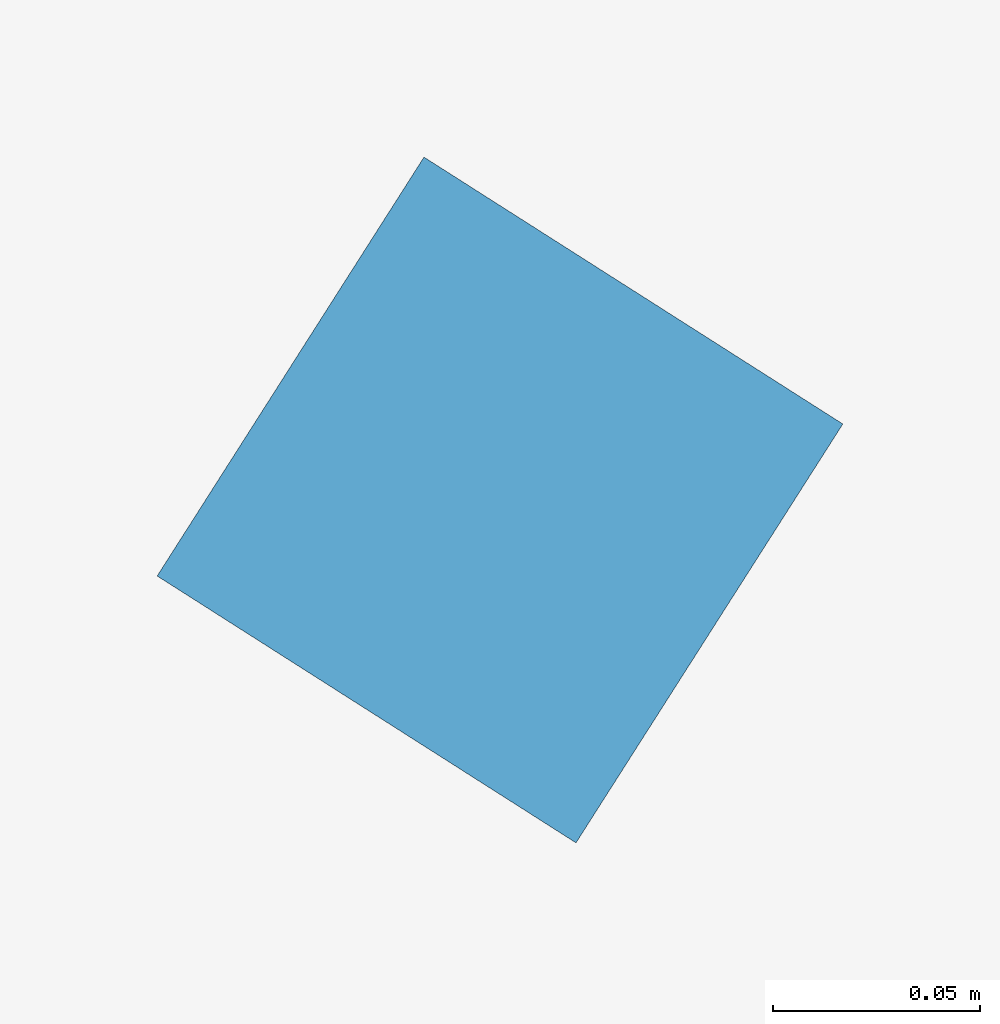
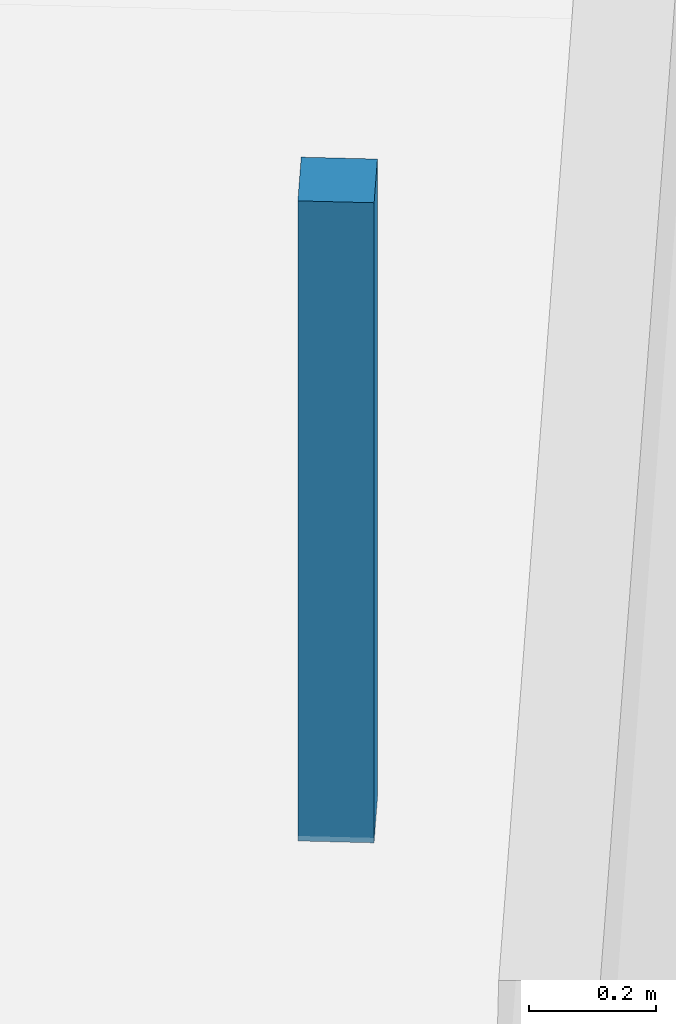
# One storey, part 20 of 23: 1 discrete accessory.
"""IFC4 building model written with IfcOpenShell, lengths in metres."""

from ifc_helpers import new_model, si_unit, direction, frame, origin, origin_2d, place, context, subcontext, project, spatial, rectangle, extrude, source, transform, mapped, material, type_object, element, save


model = new_model("IFC4")

# Units and contexts
model_context = context("Model", 3, precision=1e-05, world=origin(), true_north=direction((0.0, 1.0)))
body_context = subcontext(model_context, "Body", "Model", "MODEL_VIEW")
ifc_project = project(units=[si_unit("LENGTHUNIT", "METRE"), si_unit("AREAUNIT", "SQUARE_METRE"), si_unit("VOLUMEUNIT", "CUBIC_METRE"), si_unit("PLANEANGLEUNIT", "RADIAN"), si_unit("MASSUNIT", "GRAM", prefix="KILO")], contexts=[model_context])

# Site, building, storey
site_placement = place(None, origin())
site = spatial("IfcSite", under=ifc_project, at=site_placement, CompositionType="ELEMENT")
building_placement = place(site_placement, origin())
building = spatial("IfcBuilding", under=site, at=building_placement, Name="Torre Montelarca", CompositionType="ELEMENT")
storey_placement = place(building_placement, frame((0.0, 0.0, 187.60009765625)))
storey = spatial("IfcBuildingStorey", under=building, at=storey_placement, Name="L42", CompositionType="ELEMENT", Elevation=187.60009765625)

# Discrete accessory
ifc_material = material(Name="Galvanized steel suspension hanger", Category="steel")
discrete_accessory_type = type_object("IfcDiscreteAccessoryType", Name="ACC-CEIL-HNG", PredefinedType="BRACKET", material=ifc_material)
shared_shape = source(origin(), body_context, "Body", "SweptSolid", [
    extrude(rectangle(XDim=0.1201171875, YDim=0.1201171875, at=origin_2d()), origin(), (0.0, 0.0, 1.0), 1.22998046875),
])
discrete_accessory_placement = place(storey_placement, frame((32.7197265625, 30.0693359375, 2.75), z_axis=(0.0, 0.0, 1.0), x_axis=(-0.843391445813, 0.537299608347, 0.0)))
element("IfcDiscreteAccessory", 1, at=discrete_accessory_placement, inside=storey, type_object=discrete_accessory_type, Name="L42 Suspended Ceiling Hanger Bracket 01", PredefinedType="BRACKET", context=body_context, shape_type="MappedRepresentation", body=[
    mapped(shared_shape, transform((0.0, 0.0, 0.0), scale=1.0)),
])

save(model, "model.ifc")
